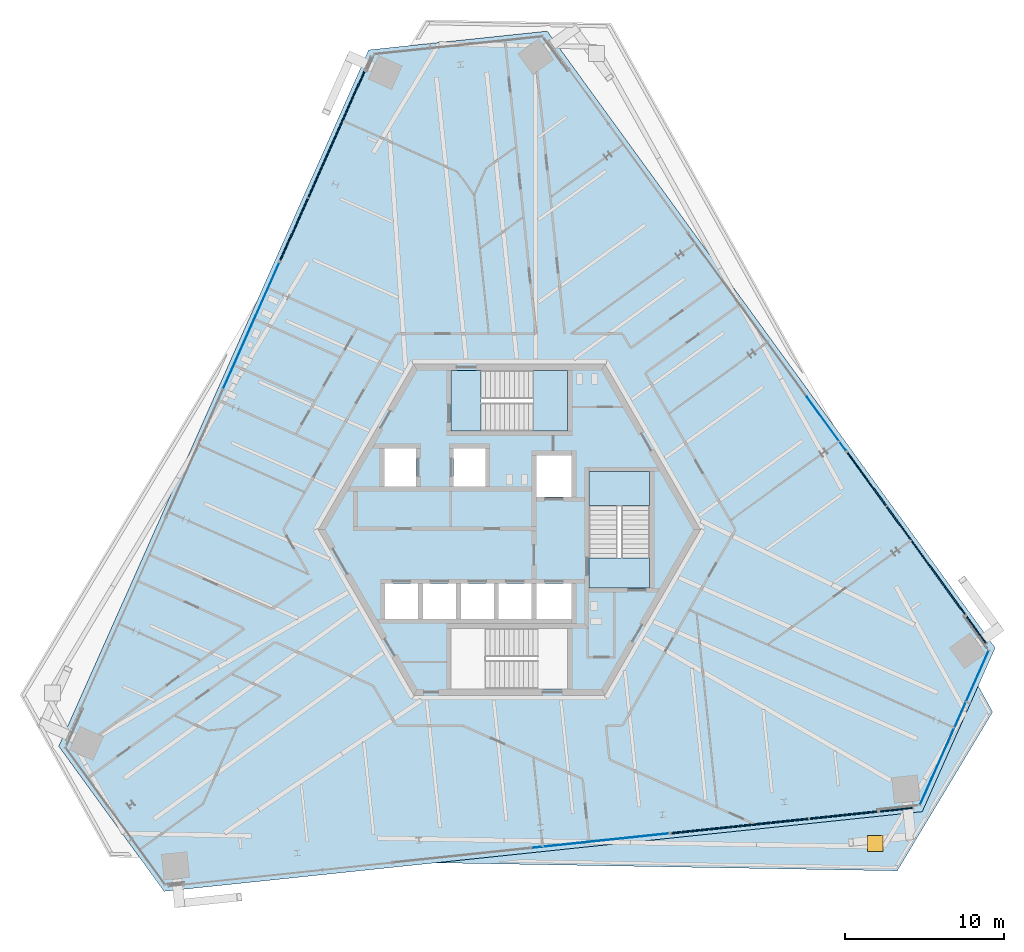
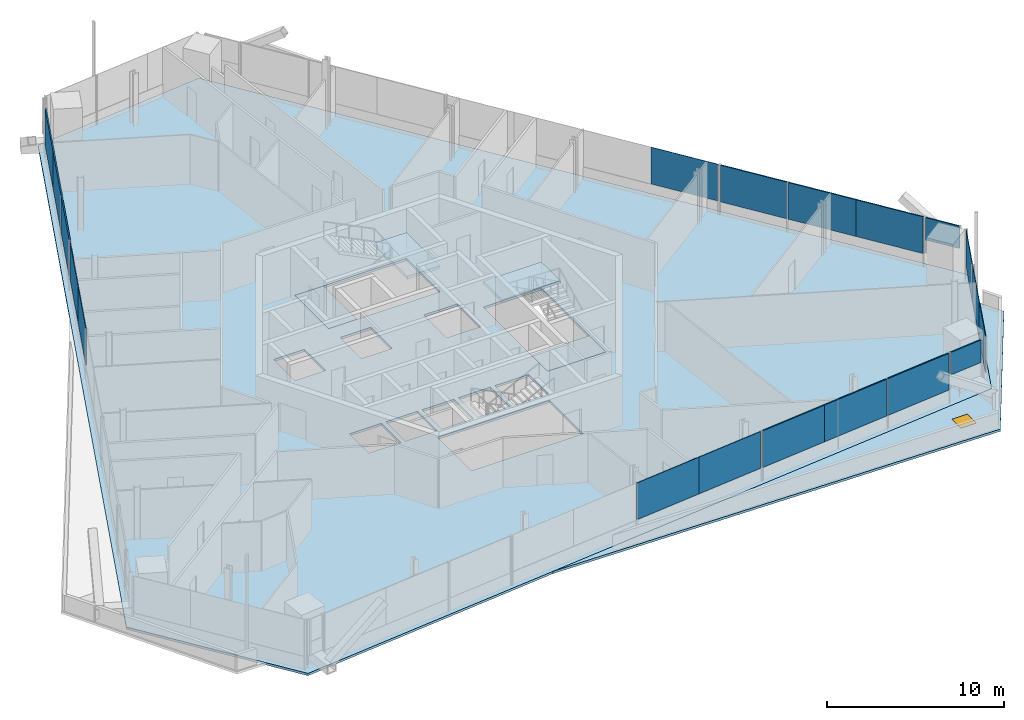
# One storey, part 11 of 21: 19 plates, 6 slabs, 1 door, 1 opening, 11 elements without a shape of their own.
"""IFC4 building model written with IfcOpenShell, lengths in metres."""

from ifc_helpers import new_model, si_unit, direction, frame, origin, origin_2d, place, context, subcontext, project, spatial, polyline, rectangle, outline, extrude, source, transform, mapped, material, layer, layer_set, type_object, element, fill, aggregate, save


model = new_model("IFC4")

# Units and contexts
model_context = context("Model", 3, precision=1e-05, world=origin(), true_north=direction((0.0, 1.0)))
body_context = subcontext(model_context, "Body", "Model", "MODEL_VIEW")
ifc_project = project(units=[si_unit("LENGTHUNIT", "METRE"), si_unit("AREAUNIT", "SQUARE_METRE"), si_unit("VOLUMEUNIT", "CUBIC_METRE"), si_unit("PLANEANGLEUNIT", "RADIAN"), si_unit("MASSUNIT", "GRAM", prefix="KILO")], contexts=[model_context])

# Site, building, storey
site_placement = place(None, origin())
site = spatial("IfcSite", under=ifc_project, at=site_placement, CompositionType="ELEMENT")
building_placement = place(site_placement, origin())
building = spatial("IfcBuilding", under=site, at=building_placement, Name="Triune Harvest Tower", CompositionType="ELEMENT")
storey_placement = place(building_placement, frame((0.0, 0.0, 219.699951171875)))
storey = spatial("IfcBuildingStorey", under=building, at=storey_placement, Name="L57", CompositionType="ELEMENT", Elevation=219.699951171875)

# Slab, opening, door
ifc_material_1 = material(Name="Concrete 40 MPa", Category="concrete")
ifc_layer_1 = layer(ifc_material_1, 0.159912109375)
ifc_layer_set_1 = layer_set([ifc_layer_1], Name="Concrete 40 MPa")
slab_type_1 = type_object("IfcSlabType", Name="WR-1 Wedge roof slab 160", PredefinedType="ROOF", material=ifc_layer_set_1)
slab_1_placement = place(storey_placement, frame((0.0, 0.0, -0.159912109375)))
slab_1 = element("IfcSlab", 1, at=slab_1_placement, inside=storey, type_object=slab_type_1, Name="Wedge roof slab L56 1", PredefinedType="ROOF", context=body_context, shape_type="SweptSolid", body=[
    extrude(outline(polyline([(30.324951171875, -11.439208984375), (29.41796875, -9.802490234375), (25.90478515625, -17.69287109375), (-4.607421875, -20.89990234375), (24.3369140625, -21.405029296875), (30.324951171875, -11.439208984375)])), origin(), (0.0, 0.0, 1.0), 0.159912109375),
])
opening_placement = place(slab_1_placement, frame((22.957763671875, -19.697265625, 0.0)))
opening = element("IfcOpeningElement", 2, at=opening_placement, cuts=slab_1, Name="Opening RH-L56.1", PredefinedType="OPENING", context=body_context, shape_type="SweptSolid", body=[
    extrude(rectangle(XDim=1.0, YDim=1.0, at=origin_2d()), origin(), (0.0, 0.0, 1.0), 0.159912109375),
])
ifc_material_2 = material(Name="Aluminium bronze anodised", Category="aluminium")
door_type = type_object("IfcDoorType", Name="RH-1 roof hatch 1000 x 1000", OperationType="SINGLE_SWING_LEFT", PredefinedType="TRAPDOOR", material=ifc_material_2)
door_placement = place(opening_placement, frame((0.0, 0.0, 0.10986328125)))
door = element("IfcDoor", 3, at=door_placement, inside=storey, type_object=door_type, Name="Roof hatch L56.1", OperationType="SINGLE_SWING_LEFT", OverallHeight=1.0, OverallWidth=1.0, PredefinedType="TRAPDOOR", context=body_context, shape_type="SweptSolid", body=[
    extrude(rectangle(XDim=1.0, YDim=1.0, at=origin_2d()), origin(), (0.0, 0.0, 1.0), 0.050048828125),
])
fill(opening, door)

# Slab
ifc_material_3 = material(Name="Concrete 40 MPa", Category="concrete")
ifc_layer_2 = layer(ifc_material_3, 0.159912109375)
ifc_layer_set_2 = layer_set([ifc_layer_2], Name="Concrete 40 MPa")
slab_type_2 = type_object("IfcSlabType", Name="SL-1 Composite floor slab 160", PredefinedType="FLOOR", material=ifc_layer_set_2)
shared_shape_1 = source(origin(), body_context, "Body", "SweptSolid", [
    extrude(outline(polyline([(30.481689453125, -7.412109375), (2.3701171875, 31.280517578125), (-8.82177734375, 30.10400390625), (-28.274658203125, -13.587646484375), (-21.659912109375, -22.69189453125), (25.904541015625, -17.692626953125), (30.481689453125, -7.412109375)]), holes=[polyline([(-5.72509765625, -5.590087890625), (-5.72509765625, -3.389892578125), (-7.800048828125, -3.389892578125), (-7.800048828125, -5.590087890625), (-5.72509765625, -5.590087890625)]), polyline([(-3.35009765625, -5.590087890625), (-3.35009765625, -3.389892578125), (-5.425048828125, -3.389892578125), (-5.425048828125, -5.590087890625), (-3.35009765625, -5.590087890625)]), polyline([(-0.97509765625, -5.590087890625), (-0.97509765625, -3.389892578125), (-3.050048828125, -3.389892578125), (-3.050048828125, -5.590087890625), (-0.97509765625, -5.590087890625)]), polyline([(1.39990234375, -5.590087890625), (1.39990234375, -3.389892578125), (-0.675048828125, -3.389892578125), (-0.675048828125, -5.590087890625), (1.39990234375, -5.590087890625)]), polyline([(3.89990234375, 2.06005859375), (3.89990234375, 4.659912109375), (1.699951171875, 4.659912109375), (1.699951171875, 2.06005859375), (3.89990234375, 2.06005859375)]), polyline([(3.89990234375, -5.590087890625), (3.89990234375, -3.389892578125), (1.699951171875, -3.389892578125), (1.699951171875, -5.590087890625), (3.89990234375, -5.590087890625)]), polyline([(-5.85009765625, 2.7099609375), (-5.85009765625, 5.110107421875), (-7.85009765625, 5.110107421875), (-7.85009765625, 2.7099609375), (-5.85009765625, 2.7099609375)]), polyline([(-1.5, 2.7099609375), (-1.5, 5.110107421875), (-3.5, 5.110107421875), (-3.5, 2.7099609375), (-1.5, 2.7099609375)]), polyline([(3.64990234375, 6.18994140625), (3.64990234375, 9.989990234375), (-3.64990234375, 9.989990234375), (-3.64990234375, 6.18994140625), (3.64990234375, 6.18994140625)]), polyline([(3.64990234375, -9.989990234375), (3.64990234375, -6.18994140625), (-3.64990234375, -6.18994140625), (-3.64990234375, -9.989990234375), (3.64990234375, -9.989990234375)]), polyline([(8.800048828125, -3.64990234375), (8.800048828125, 3.64990234375), (5.0, 3.64990234375), (5.0, -3.64990234375), (8.800048828125, -3.64990234375)])]), origin(), (0.0, 0.0, 1.0), 0.159912109375),
])
slab_2_placement = place(storey_placement, frame((0.0, 0.0, -0.159912109375)))
element("IfcSlab", 4, at=slab_2_placement, inside=storey, type_object=slab_type_2, Name="slab/L57/1", PredefinedType="FLOOR", context=body_context, shape_type="MappedRepresentation", body=[
    mapped(shared_shape_1, transform((0.0, 0.0, 0.0), scale=1.0)),
])

# Stair, slabs
ifc_material_4 = material(Name="Concrete 40 MPa", Category="concrete")
stair_type = type_object("IfcStairType", Name="Exit stair 1800 half turn", PredefinedType="HALF_TURN_STAIR", material=ifc_material_4)
stair_1_placement = place(storey_placement, origin())
stair_1 = element("IfcStair", 5, at=stair_1_placement, inside=storey, type_object=stair_type, Name="Exit stair north", PredefinedType="HALF_TURN_STAIR")
ifc_material_5 = material(Name="Concrete 40 MPa", Category="concrete")
ifc_layer_3 = layer(ifc_material_5, 0.199951171875)
ifc_layer_set_3 = layer_set([ifc_layer_3], Name="Concrete 40 MPa")
slab_type_3 = type_object("IfcSlabType", Name="Stair landing 200", PredefinedType="LANDING", material=ifc_layer_set_3)
shared_shape_2 = source(origin(), body_context, "Body", "SweptSolid", [
    extrude(outline(polyline([(1.510009765625, 6.18994140625), (3.64990234375, 6.18994140625), (3.64990234375, 9.989990234375), (1.510009765625, 9.989990234375), (1.510009765625, 6.18994140625)])), origin(), (0.0, 0.0, 1.0), 0.199951171875),
])
slab_3_placement = place(storey_placement, frame((0.0, 0.0, 1.60009765625)))
slab_3 = element("IfcSlab", 6, at=slab_3_placement, type_object=slab_type_3, Name="ST-1 landing 2", PredefinedType="LANDING", context=body_context, shape_type="MappedRepresentation", body=[
    mapped(shared_shape_2, transform((0.0, 0.0, 0.0), scale=1.0)),
])
shared_shape_3 = source(origin(), body_context, "Body", "SweptSolid", [
    extrude(outline(polyline([(-3.64990234375, 6.18994140625), (-1.780029296875, 6.18994140625), (-1.780029296875, 9.989990234375), (-3.64990234375, 9.989990234375), (-3.64990234375, 6.18994140625)])), origin(), (0.0, 0.0, 1.0), 0.199951171875),
])
slab_4_placement = place(storey_placement, frame((0.0, 0.0, -0.199951171875)))
slab_4 = element("IfcSlab", 7, at=slab_4_placement, type_object=slab_type_3, Name="ST-1 landing 1", PredefinedType="LANDING", context=body_context, shape_type="MappedRepresentation", body=[
    mapped(shared_shape_3, transform((0.0, 0.0, 0.0), scale=1.0)),
])
aggregate(stair_1, [slab_4, slab_3])

stair_2_placement = place(storey_placement, origin())
stair_2 = element("IfcStair", 8, at=stair_2_placement, inside=storey, type_object=stair_type, Name="Exit stair east", PredefinedType="HALF_TURN_STAIR")
shared_shape_4 = source(origin(), body_context, "Body", "SweptSolid", [
    extrude(outline(polyline([(8.800048828125, 1.510009765625), (8.800048828125, 3.64990234375), (5.0, 3.64990234375), (5.0, 1.510009765625), (8.800048828125, 1.510009765625)])), origin(), (0.0, 0.0, 1.0), 0.199951171875),
])
slab_5_placement = place(storey_placement, frame((0.0, 0.0, 1.60009765625)))
slab_5 = element("IfcSlab", 9, at=slab_5_placement, type_object=slab_type_3, Name="ST-3 landing 2", PredefinedType="LANDING", context=body_context, shape_type="MappedRepresentation", body=[
    mapped(shared_shape_4, transform((0.0, 0.0, 0.0), scale=1.0)),
])
shared_shape_5 = source(origin(), body_context, "Body", "SweptSolid", [
    extrude(outline(polyline([(8.800048828125, -3.64990234375), (8.800048828125, -1.780029296875), (5.0, -1.780029296875), (5.0, -3.64990234375), (8.800048828125, -3.64990234375)])), origin(), (0.0, 0.0, 1.0), 0.199951171875),
])
slab_6_placement = place(storey_placement, frame((0.0, 0.0, -0.199951171875)))
slab_6 = element("IfcSlab", 10, at=slab_6_placement, type_object=slab_type_3, Name="ST-3 landing 1", PredefinedType="LANDING", context=body_context, shape_type="MappedRepresentation", body=[
    mapped(shared_shape_5, transform((0.0, 0.0, 0.0), scale=1.0)),
])
aggregate(stair_2, [slab_6, slab_5])

# Curtain wall, plate
ifc_material_6 = material(Name="Aluminium bronze anodised", Category="aluminium")
curtain_wall_type_1 = type_object("IfcCurtainWallType", Name="CW-7 Tower stick curtain wall with insulated spandrel infill", PredefinedType="NOTDEFINED", material=ifc_material_6)
curtain_wall_1_placement = place(storey_placement, origin())
curtain_wall_1 = element("IfcCurtainWall", 11, at=curtain_wall_1_placement, inside=storey, type_object=curtain_wall_type_1, Name="CW-7 B6-F1 L57 run 1")
ifc_material_7 = material(Name="Insulated spandrel panel, bronze aluminium pan", Category="aluminium")
ifc_layer_4 = layer(ifc_material_7, 0.080078125)
ifc_layer_set_4 = layer_set([ifc_layer_4], Name="Insulated spandrel panel, bronze aluminium pan")
plate_type_1 = type_object("IfcPlateType", Name="SP-1 insulated spandrel panel 80", PredefinedType="CURTAIN_PANEL", material=ifc_layer_set_4)
shared_shape_6 = source(origin(), body_context, "Body", "SweptSolid", [
    extrude(rectangle(XDim=2.08154296875, YDim=0.080078125, at=origin_2d()), origin(), (0.0, 0.0, 1.0), 1.554931640625),
])
plate_1_placement = place(storey_placement, frame((29.295166015625, -6.28955078125, 1.88525390625), z_axis=(0.0, 0.0, 1.0), x_axis=(-0.587806596912, 0.809001486171, 0.0)))
plate_1 = element("IfcPlate", 12, at=plate_1_placement, type_object=plate_type_1, Name="CW-7 panel B6-F1 1.1", PredefinedType="CURTAIN_PANEL", context=body_context, shape_type="MappedRepresentation", body=[
    mapped(shared_shape_6, transform((0.0, 0.0, 0.0), scale=1.0)),
])
aggregate(curtain_wall_1, [plate_1])

curtain_wall_2_placement = place(storey_placement, origin())
curtain_wall_2 = element("IfcCurtainWall", 13, at=curtain_wall_2_placement, inside=storey, type_object=curtain_wall_type_1, Name="CW-7 B6-F5 L57 run 201")
plate_2_placement = place(storey_placement, frame((24.2763671875, -17.56201171875, 1.88525390625), z_axis=(0.0, 0.0, 1.0), x_axis=(0.99451993067, 0.104547154435, 0.0)))
plate_2 = element("IfcPlate", 14, at=plate_2_placement, type_object=plate_type_1, Name="CW-7 panel B6-F5 201.1", PredefinedType="CURTAIN_PANEL", context=body_context, shape_type="MappedRepresentation", body=[
    mapped(shared_shape_6, transform((0.0, 0.0, 0.0), scale=1.0)),
])
aggregate(curtain_wall_2, [plate_2])

# Curtain wall, plates
curtain_wall_3_placement = place(storey_placement, origin())
curtain_wall_3 = element("IfcCurtainWall", 15, at=curtain_wall_3_placement, inside=storey, type_object=curtain_wall_type_1, Name="CW-7 B6-F1 L57 run 101")
shared_shape_7 = source(origin(), body_context, "Body", "SweptSolid", [
    extrude(rectangle(XDim=4.163330078125, YDim=0.080078125, at=origin_2d()), origin(), (0.0, 0.0, 1.0), 2.5400390625),
])
plate_3_placement = place(storey_placement, frame((27.371826171875, -3.64208984375, 0.900146484375), z_axis=(0.0, 0.0, 1.0), x_axis=(-0.587789111722, 0.809014190321, 0.0)))
plate_3 = element("IfcPlate", 16, at=plate_3_placement, type_object=plate_type_1, Name="CW-7 panel B6-F1 101.1", PredefinedType="CURTAIN_PANEL", context=body_context, shape_type="MappedRepresentation", body=[
    mapped(shared_shape_7, transform((0.0, 0.0, 0.0), scale=1.0)),
])
shared_shape_8 = source(origin(), body_context, "Body", "SweptSolid", [
    extrude(rectangle(XDim=4.200927734375, YDim=0.080078125, at=origin_2d()), origin(), (0.0, 0.0, 1.0), 2.5400390625),
])
plate_4_placement = place(storey_placement, frame((24.91357421875, -0.258544921875, 0.900146484375), z_axis=(0.0, 0.0, 1.0), x_axis=(-0.587789111722, 0.809014190321, 0.0)))
plate_4 = element("IfcPlate", 17, at=plate_4_placement, type_object=plate_type_1, Name="CW-7 panel B6-F1 101.2", PredefinedType="CURTAIN_PANEL", context=body_context, shape_type="MappedRepresentation", body=[
    mapped(shared_shape_8, transform((0.0, 0.0, 0.0), scale=1.0)),
])
shared_shape_9 = source(origin(), body_context, "Body", "SweptSolid", [
    extrude(rectangle(XDim=4.1259765625, YDim=0.080078125, at=origin_2d()), origin(), (0.0, 0.0, 1.0), 2.5400390625),
])
plate_5_placement = place(storey_placement, frame((22.42236328125, 3.170166015625, 0.900146484375), z_axis=(0.0, 0.0, 1.0), x_axis=(-0.587789111722, 0.809014190321, 0.0)))
plate_5 = element("IfcPlate", 18, at=plate_5_placement, type_object=plate_type_1, Name="CW-7 panel B6-F1 101.3", PredefinedType="CURTAIN_PANEL", context=body_context, shape_type="MappedRepresentation", body=[
    mapped(shared_shape_9, transform((0.0, 0.0, 0.0), scale=1.0)),
])
aggregate(curtain_wall_3, [plate_3, plate_4, plate_5])

# Curtain wall, plate
ifc_material_8 = material(Name="Aluminium bronze anodised", Category="aluminium")
curtain_wall_type_2 = type_object("IfcCurtainWallType", Name="CW-1 Tower stick curtain wall", PredefinedType="NOTDEFINED", material=ifc_material_8)
curtain_wall_4_placement = place(storey_placement, origin())
curtain_wall_4 = element("IfcCurtainWall", 19, at=curtain_wall_4_placement, inside=storey, type_object=curtain_wall_type_2, Name="CW-1 B6-F1 L57 run 1101")
ifc_material_9 = material(Name="Glass", Category="glass")
ifc_layer_5 = layer(ifc_material_9, 0.031982421875)
ifc_layer_set_5 = layer_set([ifc_layer_5], Name="Glass")
plate_type_2 = type_object("IfcPlateType", Name="GL-1 panel 32", PredefinedType="CURTAIN_PANEL", material=ifc_layer_set_5)
shared_shape_10 = source(origin(), body_context, "Body", "SweptSolid", [
    extrude(rectangle(XDim=4.163330078125, YDim=0.031982421875, at=origin_2d()), origin(), (0.0, 0.0, 1.0), 2.5400390625),
])
plate_6_placement = place(storey_placement, frame((19.89794921875, 6.644775390625, 0.900146484375), z_axis=(0.0, 0.0, 1.0), x_axis=(-0.587779872457, 0.809020903027, 0.0)))
plate_6 = element("IfcPlate", 20, at=plate_6_placement, type_object=plate_type_2, Name="CW-1 panel B6-F1 1101.1", PredefinedType="CURTAIN_PANEL", context=body_context, shape_type="MappedRepresentation", body=[
    mapped(shared_shape_10, transform((0.0, 0.0, 0.0), scale=1.0)),
])
aggregate(curtain_wall_4, [plate_6])

# Curtain wall, plates
curtain_wall_5_placement = place(storey_placement, origin())
curtain_wall_5 = element("IfcCurtainWall", 21, at=curtain_wall_5_placement, inside=storey, type_object=curtain_wall_type_2, Name="CW-1 B6-F6 L57 run 1")
shared_shape_11 = source(origin(), body_context, "Body", "SweptSolid", [
    extrude(rectangle(XDim=3.500732421875, YDim=0.031982421875, at=origin_2d()), origin(), (0.0, 0.0, 1.0), 2.5400390625),
])
plate_7_placement = place(storey_placement, frame((26.47998046875, -15.66259765625, 0.900146484375), z_axis=(0.0, 0.0, 1.0), x_axis=(0.406743216086, 0.913542531121, 0.0)))
plate_7 = element("IfcPlate", 22, at=plate_7_placement, type_object=plate_type_2, Name="CW-1 panel B6-F6 1.1", PredefinedType="CURTAIN_PANEL", context=body_context, shape_type="MappedRepresentation", body=[
    mapped(shared_shape_11, transform((0.0, 0.0, 0.0), scale=1.0)),
])
shared_shape_12 = source(origin(), body_context, "Body", "SweptSolid", [
    extrude(rectangle(XDim=3.5380859375, YDim=0.031982421875, at=origin_2d()), origin(), (0.0, 0.0, 1.0), 2.5400390625),
])
plate_8_placement = place(storey_placement, frame((27.91162109375, -12.447509765625, 0.900146484375), z_axis=(0.0, 0.0, 1.0), x_axis=(0.406743216086, 0.913542531121, 0.0)))
plate_8 = element("IfcPlate", 23, at=plate_8_placement, type_object=plate_type_2, Name="CW-1 panel B6-F6 1.2", PredefinedType="CURTAIN_PANEL", context=body_context, shape_type="MappedRepresentation", body=[
    mapped(shared_shape_12, transform((0.0, 0.0, 0.0), scale=1.0)),
])
shared_shape_13 = source(origin(), body_context, "Body", "SweptSolid", [
    extrude(rectangle(XDim=3.463134765625, YDim=0.031982421875, at=origin_2d()), origin(), (0.0, 0.0, 1.0), 2.5400390625),
])
plate_9_placement = place(storey_placement, frame((29.365966796875, -9.180908203125, 0.900146484375), z_axis=(0.0, 0.0, 1.0), x_axis=(0.406743216086, 0.913542531121, 0.0)))
plate_9 = element("IfcPlate", 24, at=plate_9_placement, type_object=plate_type_2, Name="CW-1 panel B6-F6 1.3", PredefinedType="CURTAIN_PANEL", context=body_context, shape_type="MappedRepresentation", body=[
    mapped(shared_shape_13, transform((0.0, 0.0, 0.0), scale=1.0)),
])
aggregate(curtain_wall_5, [plate_7, plate_8, plate_9])

# Curtain wall, plate
curtain_wall_6_placement = place(storey_placement, origin())
curtain_wall_6 = element("IfcCurtainWall", 25, at=curtain_wall_6_placement, inside=storey, type_object=curtain_wall_type_1, Name="CW-7 B6-F3 L57 run 101")
shared_shape_14 = source(origin(), body_context, "Body", "SweptSolid", [
    extrude(rectangle(XDim=4.3095703125, YDim=0.080078125, at=origin_2d()), origin(), (0.0, 0.0, 1.0), 2.5400390625),
])
plate_10_placement = place(storey_placement, frame((-9.967041015625, 26.7939453125, 0.900146484375), z_axis=(0.0, 0.0, 1.0), x_axis=(-0.406742895797, -0.913542673726, 0.0)))
plate_10 = element("IfcPlate", 26, at=plate_10_placement, type_object=plate_type_1, Name="CW-7 panel B6-F3 101.1", PredefinedType="CURTAIN_PANEL", context=body_context, shape_type="MappedRepresentation", body=[
    mapped(shared_shape_14, transform((0.0, 0.0, 0.0), scale=1.0)),
])

curtain_wall_7_placement = place(storey_placement, origin())
curtain_wall_7 = element("IfcCurtainWall", 27, at=curtain_wall_7_placement, inside=storey, type_object=curtain_wall_type_1, Name="CW-7 B6-F5 L57 run 2101")
plate_11_placement = place(storey_placement, frame((12.302734375, -18.820556640625, 0.900146484375), z_axis=(0.0, 0.0, 1.0), x_axis=(0.994522061758, 0.10452688016, 0.0)))
plate_11 = element("IfcPlate", 28, at=plate_11_placement, type_object=plate_type_1, Name="CW-7 panel B6-F5 2101.1", PredefinedType="CURTAIN_PANEL", context=body_context, shape_type="MappedRepresentation", body=[
    mapped(shared_shape_14, transform((0.0, 0.0, 0.0), scale=1.0)),
])

# Plate
shared_shape_15 = source(origin(), body_context, "Body", "SweptSolid", [
    extrude(rectangle(XDim=4.346923828125, YDim=0.080078125, at=origin_2d()), origin(), (0.0, 0.0, 1.0), 2.5400390625),
])
plate_12_placement = place(storey_placement, frame((-11.7275390625, 22.840087890625, 0.900146484375), z_axis=(0.0, 0.0, 1.0), x_axis=(-0.406742895797, -0.913542673726, 0.0)))
plate_12 = element("IfcPlate", 29, at=plate_12_placement, type_object=plate_type_1, Name="CW-7 panel B6-F3 101.2", PredefinedType="CURTAIN_PANEL", context=body_context, shape_type="MappedRepresentation", body=[
    mapped(shared_shape_15, transform((0.0, 0.0, 0.0), scale=1.0)),
])

plate_13_placement = place(storey_placement, frame((16.607177734375, -18.3681640625, 0.900146484375), z_axis=(0.0, 0.0, 1.0), x_axis=(0.994522061758, 0.10452688016, 0.0)))
plate_13 = element("IfcPlate", 30, at=plate_13_placement, type_object=plate_type_1, Name="CW-7 panel B6-F5 2101.2", PredefinedType="CURTAIN_PANEL", context=body_context, shape_type="MappedRepresentation", body=[
    mapped(shared_shape_15, transform((0.0, 0.0, 0.0), scale=1.0)),
])

shared_shape_16 = source(origin(), body_context, "Body", "SweptSolid", [
    extrude(rectangle(XDim=4.27197265625, YDim=0.080078125, at=origin_2d()), origin(), (0.0, 0.0, 1.0), 2.5400390625),
])
plate_14_placement = place(storey_placement, frame((-13.510986328125, 18.83447265625, 0.900146484375), z_axis=(0.0, 0.0, 1.0), x_axis=(-0.406742895797, -0.913542673726, 0.0)))
plate_14 = element("IfcPlate", 31, at=plate_14_placement, type_object=plate_type_1, Name="CW-7 panel B6-F3 101.3", PredefinedType="CURTAIN_PANEL", context=body_context, shape_type="MappedRepresentation", body=[
    mapped(shared_shape_16, transform((0.0, 0.0, 0.0), scale=1.0)),
])

aggregate(curtain_wall_6, [plate_10, plate_12, plate_14])

plate_15_placement = place(storey_placement, frame((20.9677734375, -17.909912109375, 0.900146484375), z_axis=(0.0, 0.0, 1.0), x_axis=(0.994522061758, 0.10452688016, 0.0)))
plate_15 = element("IfcPlate", 32, at=plate_15_placement, type_object=plate_type_1, Name="CW-7 panel B6-F5 2101.3", PredefinedType="CURTAIN_PANEL", context=body_context, shape_type="MappedRepresentation", body=[
    mapped(shared_shape_16, transform((0.0, 0.0, 0.0), scale=1.0)),
])

aggregate(curtain_wall_7, [plate_11, plate_13, plate_15])

# Curtain wall, plate
curtain_wall_8_placement = place(storey_placement, origin())
curtain_wall_8 = element("IfcCurtainWall", 33, at=curtain_wall_8_placement, inside=storey, type_object=curtain_wall_type_2, Name="CW-1 B6-F3 L57 run 1101")
shared_shape_17 = source(origin(), body_context, "Body", "SweptSolid", [
    extrude(rectangle(XDim=4.3095703125, YDim=0.031982421875, at=origin_2d()), origin(), (0.0, 0.0, 1.0), 2.5400390625),
])
plate_16_placement = place(storey_placement, frame((-15.317138671875, 14.77783203125, 0.900146484375), z_axis=(0.0, 0.0, 1.0), x_axis=(-0.406733552352, -0.913546833715, 0.0)))
plate_16 = element("IfcPlate", 34, at=plate_16_placement, type_object=plate_type_2, Name="CW-1 panel B6-F3 1101.1", PredefinedType="CURTAIN_PANEL", context=body_context, shape_type="MappedRepresentation", body=[
    mapped(shared_shape_17, transform((0.0, 0.0, 0.0), scale=1.0)),
])

curtain_wall_9_placement = place(storey_placement, origin())
curtain_wall_9 = element("IfcCurtainWall", 35, at=curtain_wall_9_placement, inside=storey, type_object=curtain_wall_type_2, Name="CW-1 B6-F5 L57 run 1101")
plate_17_placement = place(storey_placement, frame((7.86767578125, -19.28662109375, 0.900146484375), z_axis=(0.0, 0.0, 1.0), x_axis=(0.994521406703, 0.104533112504, 0.0)))
plate_17 = element("IfcPlate", 36, at=plate_17_placement, type_object=plate_type_2, Name="CW-1 panel B6-F5 1101.4", PredefinedType="CURTAIN_PANEL", context=body_context, shape_type="MappedRepresentation", body=[
    mapped(shared_shape_17, transform((0.0, 0.0, 0.0), scale=1.0)),
])

# Plate
shared_shape_18 = source(origin(), body_context, "Body", "SweptSolid", [
    extrude(rectangle(XDim=4.346923828125, YDim=0.031982421875, at=origin_2d()), origin(), (0.0, 0.0, 1.0), 2.5400390625),
])
plate_18_placement = place(storey_placement, frame((-17.07763671875, 10.82373046875, 0.900146484375), z_axis=(0.0, 0.0, 1.0), x_axis=(-0.406733552352, -0.913546833715, 0.0)))
plate_18 = element("IfcPlate", 37, at=plate_18_placement, type_object=plate_type_2, Name="CW-1 panel B6-F3 1101.2", PredefinedType="CURTAIN_PANEL", context=body_context, shape_type="MappedRepresentation", body=[
    mapped(shared_shape_18, transform((0.0, 0.0, 0.0), scale=1.0)),
])

aggregate(curtain_wall_8, [plate_16, plate_18])

plate_19_placement = place(storey_placement, frame((3.56298828125, -19.739013671875, 0.900146484375), z_axis=(0.0, 0.0, 1.0), x_axis=(0.994521406703, 0.104533112504, 0.0)))
plate_19 = element("IfcPlate", 38, at=plate_19_placement, type_object=plate_type_2, Name="CW-1 panel B6-F5 1101.3", PredefinedType="CURTAIN_PANEL", context=body_context, shape_type="MappedRepresentation", body=[
    mapped(shared_shape_18, transform((0.0, 0.0, 0.0), scale=1.0)),
])

aggregate(curtain_wall_9, [plate_19, plate_17])

save(model, "model.ifc")
